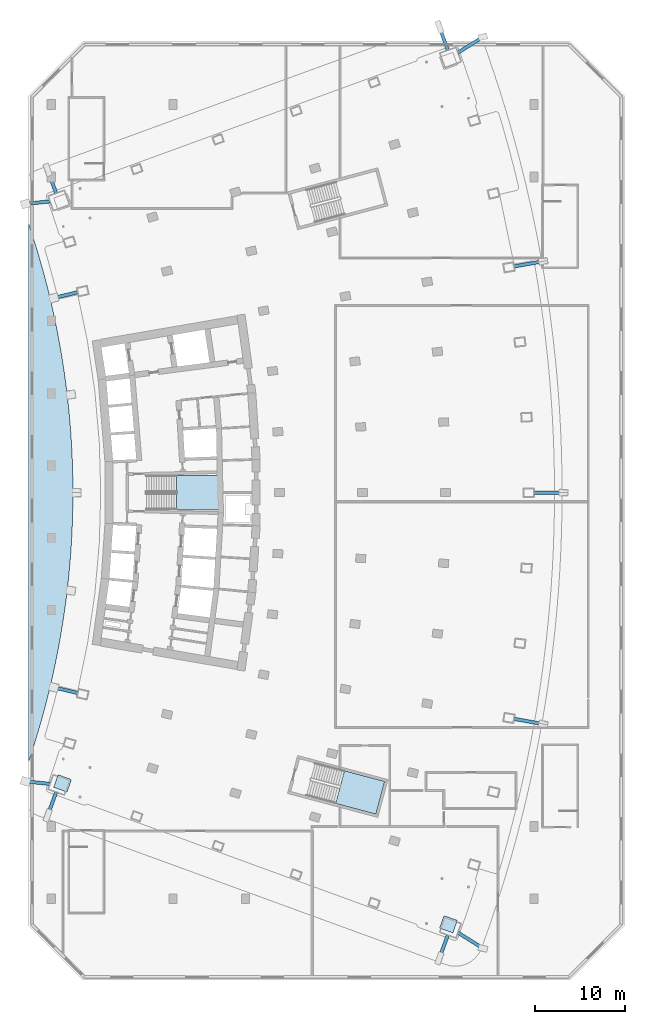
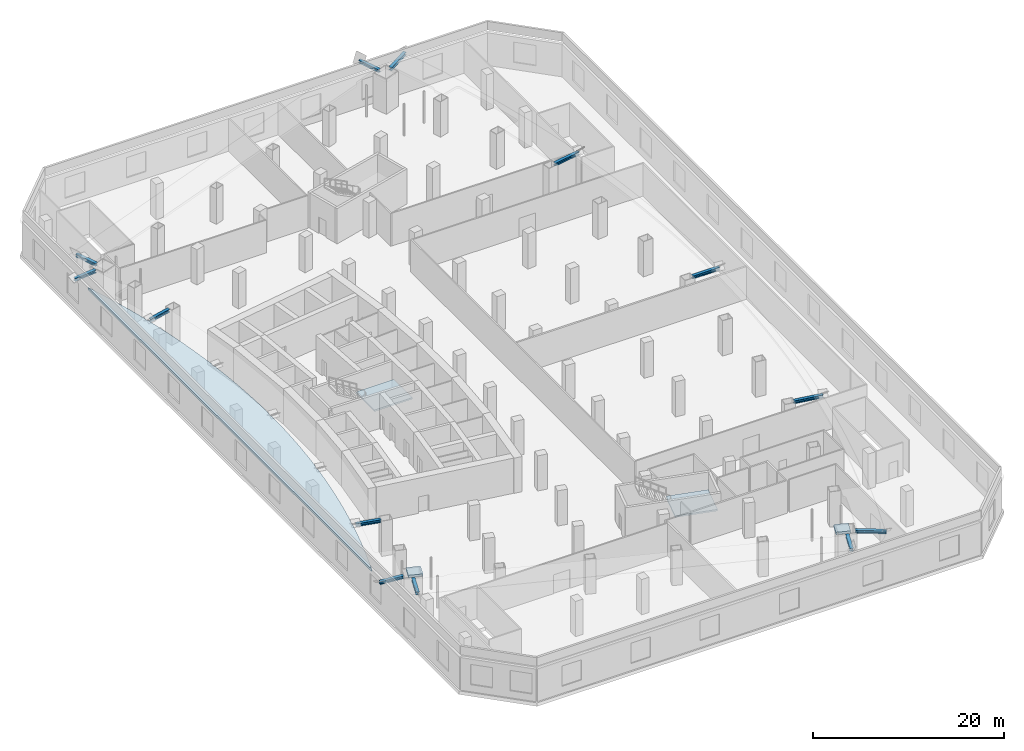
# One storey, part 9 of 19: 13 members, 5 slabs, 2 elements without a shape of their own.
"""IFC4 building model written with IfcOpenShell, lengths in metres."""

import ifcopenshell
import ifcopenshell.guid

model = None  # the IFC model being written
_history = None  # IfcOwnerHistory: only IFC2X3 demands one
_inside = {}  # id of a spatial element -> (the spatial element, [elements in it])
_under = {}  # id of a project, library or spatial element -> (it, [spatial elements below it])
_declared = {}  # id of a project -> (the project, [libraries it declares])
_typed = {}  # id of a type object -> (the type object, [elements of that type])
_made_of = {}  # id of a material, layer set ... -> (it, [elements and type objects made of it])


def new_model(schema):
    """Start an empty IFC model of exactly this schema.

    Asked for "IFC4X3", IfcOpenShell would pick the latest addendum, in which some entities
    have other attributes; the version numbers below select the first issue.
    IFC2X3 requires an IfcOwnerHistory on every rooted entity: one is made here for all.
    """
    global model, _history
    if schema == "IFC4X3":
        model = ifcopenshell.file(schema_version=(4, 3, 0, 0))
    else:
        model = ifcopenshell.file(schema=schema)
    _inside.clear()
    _under.clear()
    _declared.clear()
    _typed.clear()
    _made_of.clear()
    _history = None
    if model.schema == "IFC2X3":
        org = make("IfcOrganization", Name="unknown")
        user = make(
            "IfcPersonAndOrganization",
            ThePerson=make("IfcPerson", FamilyName="unknown"),
            TheOrganization=org,
        )
        app = make(
            "IfcApplication",
            ApplicationDeveloper=org,
            Version="unknown",
            ApplicationFullName="unknown",
            ApplicationIdentifier="unknown",
        )
        _history = make(
            "IfcOwnerHistory",
            OwningUser=user,
            OwningApplication=app,
            ChangeAction="ADDED",
            CreationDate=0,
        )
    return model


def make(cls, **values):
    """One entity of the class cls with the attributes given. An attribute that is None is left unset."""
    return model.create_entity(
        cls, **{name: value for name, value in values.items() if value is not None}
    )


def rooted(cls, **values):
    """An entity with a GlobalId (a new one), such as an element, a storey or a relation."""
    return make(cls, GlobalId=ifcopenshell.guid.new(), OwnerHistory=_history, **values)


def si_unit(unit_type, name, prefix=None):
    """IfcSIUnit, for example si_unit("LENGTHUNIT", "METRE", prefix="MILLI")."""
    return make("IfcSIUnit", UnitType=unit_type, Prefix=prefix, Name=name)


def assignment(units):
    """IfcUnitAssignment: the units of a project."""
    return None if units is None else make("IfcUnitAssignment", Units=units)


def point(xyz):
    """IfcCartesianPoint."""
    return None if xyz is None else make("IfcCartesianPoint", Coordinates=xyz)


def direction(xyz):
    """IfcDirection."""
    return None if xyz is None else make("IfcDirection", DirectionRatios=xyz)


def frame(location, z_axis=None, x_axis=None):
    """IfcAxis2Placement3D, a coordinate frame: its origin and axes. An axis left out is left unset."""
    return make(
        "IfcAxis2Placement3D",
        Location=point(location),
        Axis=direction(z_axis),
        RefDirection=direction(x_axis),
    )


def frame_2d(location, x_axis=None):
    """IfcAxis2Placement2D, a coordinate frame in the plane: its origin and x axis."""
    return make(
        "IfcAxis2Placement2D", Location=point(location), RefDirection=direction(x_axis)
    )


def origin():
    """The frame at (0, 0, 0) with its axes left unset."""
    return frame((0.0, 0.0, 0.0))


def origin_2d():
    """The frame at (0, 0) in the plane with its x axis left unset."""
    return frame_2d((0.0, 0.0))


def place(relative_to, where):
    """IfcLocalPlacement: puts the frame where relative to a parent placement (None: the world)."""
    return make(
        "IfcLocalPlacement", PlacementRelTo=relative_to, RelativePlacement=where
    )


def context(
    kind, dimensions, precision=None, world=None, true_north=None, identifier=None
):
    """IfcGeometricRepresentationContext, for example the 3D "Model" context."""
    return make(
        "IfcGeometricRepresentationContext",
        ContextIdentifier=identifier,
        ContextType=kind,
        CoordinateSpaceDimension=dimensions,
        Precision=precision,
        WorldCoordinateSystem=world,
        TrueNorth=true_north,
    )


def subcontext(parent, identifier, kind, view, scale=None):
    """IfcGeometricRepresentationSubContext, for example "Body" below "Model"."""
    return make(
        "IfcGeometricRepresentationSubContext",
        ContextIdentifier=identifier,
        ContextType=kind,
        ParentContext=parent,
        TargetScale=scale,
        TargetView=view,
    )


def project(units=None, contexts=None):
    """IfcProject with its units and contexts."""
    return rooted(
        "IfcProject",
        Name="project",
        RepresentationContexts=contexts,
        UnitsInContext=assignment(units),
    )


def spatial(cls, under=None, at=None, **own):
    """A site, building, storey or space (cls), placed at a placement, below another one or the project."""
    s = rooted(cls, ObjectPlacement=at, **own)
    if under is not None:
        _under.setdefault(under.id(), (under, []))[1].append(s)
    return s


def polyline(points):
    """IfcPolyline through the points."""
    return make("IfcPolyline", Points=[point(p) for p in points])


def profile(cls, at=None, kind="AREA", **sizes):
    """A parametric profile (cls). Its sizes go by their IFC names, for example OverallWidth=200.0."""
    return make(cls, ProfileType=kind, Position=at, **sizes)


def i_section(**sizes):
    """IfcIShapeProfileDef."""
    return profile("IfcIShapeProfileDef", **sizes)


def outline(outer, holes=None, kind="AREA"):
    """IfcArbitraryClosedProfileDef: a profile drawn as a closed curve; with holes, ...WithVoids."""
    if holes is None:
        return make("IfcArbitraryClosedProfileDef", ProfileType=kind, OuterCurve=outer)
    return make(
        "IfcArbitraryProfileDefWithVoids",
        ProfileType=kind,
        OuterCurve=outer,
        InnerCurves=holes,
    )


def extrude(swept, where, along, depth):
    """IfcExtrudedAreaSolid: the profile swept, set in the frame where, extruded along a direction by depth."""
    return make(
        "IfcExtrudedAreaSolid",
        SweptArea=swept,
        Position=where,
        ExtrudedDirection=direction(along),
        Depth=depth,
    )


def shape(context_of_items, identifier, shape_type, items):
    """IfcShapeRepresentation: the items that make up one representation, for example the "Body"."""
    return make(
        "IfcShapeRepresentation",
        ContextOfItems=context_of_items,
        RepresentationIdentifier=identifier,
        RepresentationType=shape_type,
        Items=items,
    )


def material(Name=None, Category=None):
    """IfcMaterial."""
    return make("IfcMaterial", Name=Name, Category=Category)


def layer(
    of_material, thickness, ventilated=None, Name=None, Category=None, Priority=None
):
    """IfcMaterialLayer: one layer of a wall or slab, of a material (None: an air gap)."""
    return make(
        "IfcMaterialLayer",
        Material=of_material,
        LayerThickness=thickness,
        IsVentilated=ventilated,
        Name=Name,
        Category=Category,
        Priority=Priority,
    )


def layer_set(layers, Name=None):
    """IfcMaterialLayerSet."""
    return make("IfcMaterialLayerSet", MaterialLayers=layers, LayerSetName=Name)


def material_profile(
    of_material, cross_section, Name=None, Category=None, Priority=None
):
    """IfcMaterialProfile: a cross section and its material."""
    return make(
        "IfcMaterialProfile",
        Name=Name,
        Material=of_material,
        Profile=cross_section,
        Priority=Priority,
        Category=Category,
    )


def profile_set(profiles, Name=None, composite=None):
    """IfcMaterialProfileSet."""
    return make(
        "IfcMaterialProfileSet",
        Name=Name,
        MaterialProfiles=profiles,
        CompositeProfile=composite,
    )


def made_of(thing, what):
    """Note that an element or type object is made of a material, layer set ...; save() writes the relation."""
    if what is not None:
        _made_of.setdefault(what.id(), (what, []))[1].append(thing)
    return thing


def type_object(cls, material=None, **own):
    """A type object (cls), such as IfcWallType, which elements share."""
    return made_of(rooted(cls, **own), material)


def element(
    cls,
    number,
    at=None,
    inside=None,
    cuts=None,
    type_object=None,
    material=None,
    context=None,
    identifier="Body",
    shape_type=None,
    held_by="IfcProductDefinitionShape",
    body=None,
    shapes=None,
    **own,
):
    """One element of the class cls, such as IfcWall. Its Tag is "e" and its number.

    at: its placement. inside: the storey or other place that contains it. cuts: it is an
    opening in that element (IfcRelVoidsElement). A single representation is given by context,
    identifier, shape_type and body (its items); several are given by shapes. held_by: the class
    of the entity that holds the representations. save() writes the other relations.
    """
    e = rooted(cls, Tag="e%d" % number, ObjectPlacement=at, **own)
    if body is not None:
        shapes = [shape(context, identifier, shape_type, body)]
    if shapes is not None:
        e.Representation = make(held_by, Representations=shapes)
    if inside is not None:
        _inside.setdefault(inside.id(), (inside, []))[1].append(e)
    if cuts is not None:
        rooted(
            "IfcRelVoidsElement", RelatingBuildingElement=cuts, RelatedOpeningElement=e
        )
    if type_object is not None:
        _typed.setdefault(type_object.id(), (type_object, []))[1].append(e)
    return made_of(e, material)


def aggregate(whole, parts):
    """IfcRelAggregates: a whole, such as a stair, and the parts it consists of."""
    return rooted("IfcRelAggregates", RelatingObject=whole, RelatedObjects=parts)


def save(model, path):
    """Write the relations noted so far, then the file.

    IfcRelAggregates (storeys below a building ...), IfcRelContainedInSpatialStructure (elements
    in a storey), IfcRelDefinesByType, IfcRelAssociatesMaterial and IfcRelDeclares: one each for
    every whole, place, type object, material and project.
    """
    for whole, parts in _under.values():
        aggregate(whole, parts)
    for where, things in _inside.values():
        rooted(
            "IfcRelContainedInSpatialStructure",
            RelatedElements=things,
            RelatingStructure=where,
        )
    for kind, things in _typed.values():
        rooted("IfcRelDefinesByType", RelatedObjects=things, RelatingType=kind)
    for what, things in _made_of.values():
        rooted("IfcRelAssociatesMaterial", RelatedObjects=things, RelatingMaterial=what)
    for by, libraries in _declared.values():
        rooted("IfcRelDeclares", RelatingContext=by, RelatedDefinitions=libraries)
    model.write(path)


model = new_model("IFC4")

# Units and contexts
model_context = context("Model", 3, precision=1e-05, world=origin(), true_north=direction((0.0, 1.0)))
body_context = subcontext(model_context, "Body", "Model", "MODEL_VIEW")
ifc_project = project(units=[si_unit("LENGTHUNIT", "METRE"), si_unit("AREAUNIT", "SQUARE_METRE"), si_unit("VOLUMEUNIT", "CUBIC_METRE"), si_unit("PLANEANGLEUNIT", "RADIAN"), si_unit("MASSUNIT", "GRAM", prefix="KILO")], contexts=[model_context])

# Site, building, storey
site_placement = place(None, origin())
site = spatial("IfcSite", under=ifc_project, at=site_placement, CompositionType="ELEMENT")
building_placement = place(site_placement, origin())
building = spatial("IfcBuilding", under=site, at=building_placement, Name="Alderwake Tower", CompositionType="ELEMENT")
storey_placement = place(building_placement, frame((0.0, 0.0, 27.5)))
storey = spatial("IfcBuildingStorey", under=building, at=storey_placement, Name="L05", CompositionType="ELEMENT", Elevation=27.5)

# Members
ifc_material_1 = material(Name="Steel ASTM A992 Grade 50", Category="steel")
ifc_material_profile = material_profile(ifc_material_1, i_section(OverallWidth=0.3740234375, OverallDepth=0.372314453125, WebThickness=0.016357421875, FlangeThickness=0.026123046875, at=origin_2d()), Name="W14X132")
ifc_profile_set = profile_set([ifc_material_profile], Name="Steel ASTM A992 Grade 50")
member_type = type_object("IfcMemberType", Name="Brace node stub W14X132", PredefinedType="MEMBER", material=ifc_profile_set)
member_1_placement = place(storey_placement, frame((55.5537109375, 12.255859375, 4.293701171875), z_axis=(0.845687214182, -0.533678869517, 0.0), x_axis=(0.533678869517, 0.845687214182, 0.0)))
element("IfcMember", 1, at=member_1_placement, inside=storey, type_object=member_type, Name="Brace node stub BS.FR01-C5.320", PredefinedType="MEMBER", context=body_context, shape_type="SweptSolid", body=[
    extrude(i_section(OverallWidth=0.3740234375, OverallDepth=0.372314453125, WebThickness=0.016357421875, FlangeThickness=0.026123046875, at=origin_2d()), origin(), (0.0, 0.0, 1.0), 3.275390625),
])
member_2_placement = place(storey_placement, frame((61.75146484375, 35.93701171875, 4.293701171875), z_axis=(0.984729160166, -0.174093311531, 0.0), x_axis=(0.174093311531, 0.984729160166, 0.0)))
element("IfcMember", 2, at=member_2_placement, inside=storey, type_object=member_type, Name="Brace node stub BS.FR04-C5.320", PredefinedType="MEMBER", context=body_context, shape_type="SweptSolid", body=[
    extrude(i_section(OverallWidth=0.3740234375, OverallDepth=0.372314453125, WebThickness=0.016357421875, FlangeThickness=0.026123046875, at=origin_2d()), origin(), (0.0, 0.0, 1.0), 3.301025390625),
])
member_3_placement = place(storey_placement, frame((63.949951171875, 61.0, 4.293701171875), z_axis=(1.0, 0.0, 0.0), x_axis=(0.0, 1.0, 0.0)))
element("IfcMember", 3, at=member_3_placement, inside=storey, type_object=member_type, Name="Brace node stub BS.FR07-C5.320", PredefinedType="MEMBER", context=body_context, shape_type="SweptSolid", body=[
    extrude(i_section(OverallWidth=0.3740234375, OverallDepth=0.372314453125, WebThickness=0.016357421875, FlangeThickness=0.026123046875, at=origin_2d()), origin(), (0.0, 0.0, 1.0), 3.30126953125),
])
member_4_placement = place(storey_placement, frame((61.75146484375, 86.06298828125, 4.293701171875), z_axis=(0.984729160166, 0.174093311531, 0.0), x_axis=(-0.174093311531, 0.984729160166, 0.0)))
element("IfcMember", 4, at=member_4_placement, inside=storey, type_object=member_type, Name="Brace node stub BS.FR10-C5.320", PredefinedType="MEMBER", context=body_context, shape_type="SweptSolid", body=[
    extrude(i_section(OverallWidth=0.3740234375, OverallDepth=0.372314453125, WebThickness=0.016357421875, FlangeThickness=0.026123046875, at=origin_2d()), origin(), (0.0, 0.0, 1.0), 3.301025390625),
])
member_5_placement = place(storey_placement, frame((55.5537109375, 109.744140625, 4.293701171875), z_axis=(0.845687214182, 0.533678869517, 0.0), x_axis=(-0.533678869517, 0.845687214182, 0.0)))
element("IfcMember", 5, at=member_5_placement, inside=storey, type_object=member_type, Name="Brace node stub BS.FR13-C5.320", PredefinedType="MEMBER", context=body_context, shape_type="SweptSolid", body=[
    extrude(i_section(OverallWidth=0.3740234375, OverallDepth=0.372314453125, WebThickness=0.016357421875, FlangeThickness=0.026123046875, at=origin_2d()), origin(), (0.0, 0.0, 1.0), 3.275390625),
])
member_6_placement = place(storey_placement, frame((10.357421875, 28.724365234375, 4.293701171875), z_axis=(-0.994599183003, 0.103790486891, 0.0), x_axis=(-0.103790486891, -0.994599183003, 0.0)))
element("IfcMember", 6, at=member_6_placement, inside=storey, type_object=member_type, Name="Brace node stub BS.RR01-C0.320", PredefinedType="MEMBER", context=body_context, shape_type="SweptSolid", body=[
    extrude(i_section(OverallWidth=0.3740234375, OverallDepth=0.372314453125, WebThickness=0.016357421875, FlangeThickness=0.026123046875, at=origin_2d()), origin(), (0.0, 0.0, 1.0), 2.728515625),
])
for number, where, z_axis, x_axis, name in (
    (7, (13.447021484375, 38.791259765625, 4.293701171875), (-0.972907100996, 0.231196394506, 0.0), (-0.231196394506, -0.972907100996, 0.0), "Brace node stub BS.RR03-C0.320"),
    (8, (13.447021484375, 83.208740234375, 4.293701171875), (-0.972907100996, -0.231196394506, 0.0), (0.231196394506, -0.972907100996, 0.0), "Brace node stub BS.RR11-C0.320"),
):
    element("IfcMember", number, at=place(storey_placement, frame(where, z_axis=z_axis, x_axis=x_axis)), inside=storey, type_object=member_type, Name=name, PredefinedType="MEMBER", context=body_context, shape_type="SweptSolid", body=[
        extrude(i_section(OverallWidth=0.3740234375, OverallDepth=0.372314453125, WebThickness=0.016357421875, FlangeThickness=0.026123046875, at=origin_2d()), origin(), (0.0, 0.0, 1.0), 2.749755859375),
    ])
member_7_placement = place(storey_placement, frame((10.357421875, 93.275634765625, 4.293701171875), z_axis=(-0.994599183003, -0.103790486891, 0.0), x_axis=(0.103790486891, -0.994599183003, 0.0)))
element("IfcMember", 9, at=member_7_placement, inside=storey, type_object=member_type, Name="Brace node stub BS.RR13-C0.320", PredefinedType="MEMBER", context=body_context, shape_type="SweptSolid", body=[
    extrude(i_section(OverallWidth=0.3740234375, OverallDepth=0.372314453125, WebThickness=0.016357421875, FlangeThickness=0.026123046875, at=origin_2d()), origin(), (0.0, 0.0, 1.0), 2.728515625),
])
member_8_placement = place(storey_placement, frame((11.040283203125, 27.823974609375, 4.293701171875), z_axis=(-0.341785786119, -0.939777886741, 0.0), x_axis=(0.939777886741, -0.341785786119, 0.0)))
element("IfcMember", 10, at=member_8_placement, inside=storey, type_object=member_type, Name="Brace node stub BS.SR01-C0.320", PredefinedType="MEMBER", context=body_context, shape_type="SweptSolid", body=[
    extrude(i_section(OverallWidth=0.3740234375, OverallDepth=0.372314453125, WebThickness=0.016357421875, FlangeThickness=0.026123046875, at=origin_2d()), origin(), (0.0, 0.0, 1.0), 2.7529296875),
])
member_9_placement = place(storey_placement, frame((54.438720703125, 11.977294921875, 4.293701171875), z_axis=(-0.342199527433, -0.939627310919, 0.0), x_axis=(0.939627310919, -0.342199527433, 0.0)))
element("IfcMember", 11, at=member_9_placement, inside=storey, type_object=member_type, Name="Brace node stub BS.SR01-C5.320", PredefinedType="MEMBER", context=body_context, shape_type="SweptSolid", body=[
    extrude(i_section(OverallWidth=0.3740234375, OverallDepth=0.372314453125, WebThickness=0.016357421875, FlangeThickness=0.026123046875, at=origin_2d()), origin(), (0.0, 0.0, 1.0), 2.748291015625),
])
member_10_placement = place(storey_placement, frame((11.040283203125, 94.176025390625, 4.293701171875), z_axis=(-0.341785786119, 0.939777886741, 0.0), x_axis=(-0.939777886741, -0.341785786119, 0.0)))
element("IfcMember", 12, at=member_10_placement, inside=storey, type_object=member_type, Name="Brace node stub BS.NR13-C0.320", PredefinedType="MEMBER", context=body_context, shape_type="SweptSolid", body=[
    extrude(i_section(OverallWidth=0.3740234375, OverallDepth=0.372314453125, WebThickness=0.016357421875, FlangeThickness=0.026123046875, at=origin_2d()), origin(), (0.0, 0.0, 1.0), 2.7529296875),
])
member_11_placement = place(storey_placement, frame((54.438720703125, 110.022705078125, 4.293701171875), z_axis=(-0.342199527433, 0.939627310919, 0.0), x_axis=(-0.939627310919, -0.342199527433, 0.0)))
element("IfcMember", 13, at=member_11_placement, inside=storey, type_object=member_type, Name="Brace node stub BS.NR13-C5.320", PredefinedType="MEMBER", context=body_context, shape_type="SweptSolid", body=[
    extrude(i_section(OverallWidth=0.3740234375, OverallDepth=0.372314453125, WebThickness=0.016357421875, FlangeThickness=0.026123046875, at=origin_2d()), origin(), (0.0, 0.0, 1.0), 2.748291015625),
])

# Slabs
ifc_material_2 = material(Name="Concrete C50/60", Category="concrete")
ifc_layer_1 = layer(ifc_material_2, 0.320068359375)
ifc_layer_set_1 = layer_set([ifc_layer_1], Name="Concrete C50/60 roof slab 320")
slab_type_1 = type_object("IfcSlabType", Name="Concrete C50/60 roof slab 320", PredefinedType="ROOF", material=ifc_layer_set_1)
slab_1_placement = place(storey_placement, frame((0.0, 0.0, 4.179931640625)))
element("IfcSlab", 14, at=slab_1_placement, inside=storey, type_object=slab_type_1, Name="Roof slab L05 3", PredefinedType="ROOF", context=body_context, shape_type="SweptSolid", body=[
    extrude(outline(polyline([(8.159423828125, 90.296630859375), (8.577392578125, 89.008056640625), (8.976318359375, 87.71337890625), (9.3564453125, 86.412841796875), (9.717529296875, 85.107177734375), (10.0595703125, 83.796142578125), (10.38232421875, 82.48046875), (10.68603515625, 81.16015625), (10.970458984375, 79.835693359375), (11.2353515625, 78.507080078125), (11.48095703125, 77.174560546875), (11.707275390625, 75.8388671875), (11.913818359375, 74.5), (12.100830078125, 73.158203125), (12.268310546875, 71.813720703125), (12.416259765625, 70.467041015625), (12.54443359375, 69.118408203125), (12.653076171875, 67.76806640625), (12.741943359375, 66.416015625), (12.81103515625, 65.06298828125), (12.8603515625, 63.709228515625), (12.889892578125, 62.354736328125), (12.89990234375, 61.0), (12.889892578125, 59.645263671875), (12.8603515625, 58.290771484375), (12.81103515625, 56.93701171875), (12.741943359375, 55.583984375), (12.653076171875, 54.23193359375), (12.54443359375, 52.881591796875), (12.416259765625, 51.532958984375), (12.268310546875, 50.186279296875), (12.100830078125, 48.841796875), (11.913818359375, 47.5), (11.707275390625, 46.1611328125), (11.48095703125, 44.825439453125), (11.2353515625, 43.492919921875), (10.970458984375, 42.164306640625), (10.68603515625, 40.83984375), (10.38232421875, 39.51953125), (10.0595703125, 38.203857421875), (9.717529296875, 36.892822265625), (9.3564453125, 35.587158203125), (8.976318359375, 34.28662109375), (8.577392578125, 32.991943359375), (8.159423828125, 31.703369140625), (8.0, 31.23486328125), (8.0, 90.76513671875), (8.159423828125, 90.296630859375)])), origin(), (0.0, 0.0, 1.0), 0.320068359375),
])
slab_2_placement = place(storey_placement, frame((0.0, 0.0, 4.179931640625)))
element("IfcSlab", 15, at=slab_2_placement, inside=storey, type_object=slab_type_1, Name="Roof slab L05 5", PredefinedType="ROOF", context=body_context, shape_type="SweptSolid", body=[
    extrude(outline(polyline([(12.62939453125, 29.25439453125), (12.616943359375, 29.259521484375), (11.2529296875, 29.7431640625), (11.08544921875, 29.25146484375), (11.083740234375, 29.24658203125), (10.76708984375, 28.357421875), (12.2451171875, 27.81982421875), (12.6962890625, 29.093017578125), (12.7001953125, 29.105712890625), (12.70263671875, 29.1181640625), (12.703857421875, 29.130859375), (12.703857421875, 29.1435546875), (12.70263671875, 29.15625), (12.699951171875, 29.168701171875), (12.6962890625, 29.18115234375), (12.69140625, 29.19287109375), (12.685302734375, 29.2041015625), (12.67822265625, 29.214599609375), (12.670166015625, 29.224365234375), (12.6611328125, 29.2333984375), (12.651123046875, 29.241455078125), (12.640625, 29.24853515625), (12.62939453125, 29.25439453125)])), origin(), (0.0, 0.0, 1.0), 0.320068359375),
])
slab_3_placement = place(storey_placement, frame((0.0, 0.0, 4.179931640625)))
element("IfcSlab", 16, at=slab_3_placement, inside=storey, type_object=slab_type_1, Name="Roof slab L05 7", PredefinedType="ROOF", context=body_context, shape_type="SweptSolid", body=[
    extrude(outline(polyline([(53.973876953125, 14.01611328125), (53.96875, 14.003662109375), (53.52001953125, 12.749755859375), (54.99267578125, 12.21337890625), (55.486328125, 13.59912109375), (54.135498046875, 14.08251953125), (54.123046875, 14.08642578125), (54.1103515625, 14.0888671875), (54.09765625, 14.090087890625), (54.0849609375, 14.090087890625), (54.072265625, 14.0888671875), (54.059814453125, 14.08642578125), (54.047607421875, 14.082763671875), (54.035888671875, 14.077880859375), (54.0244140625, 14.07177734375), (54.013916015625, 14.064697265625), (54.004150390625, 14.056640625), (53.9951171875, 14.047607421875), (53.98681640625, 14.03759765625), (53.979736328125, 14.027099609375), (53.973876953125, 14.01611328125)])), origin(), (0.0, 0.0, 1.0), 0.320068359375),
])

# Stair, slab
ifc_material_3 = material(Name="Concrete C40/50", Category="concrete")
stair_type = type_object("IfcStairType", Name="Core exit stair", PredefinedType="HALF_TURN_STAIR", material=ifc_material_3)
stair_1_placement = place(storey_placement, origin())
stair_1 = element("IfcStair", 17, at=stair_1_placement, inside=storey, type_object=stair_type, Name="L05 Exit Stair B", PredefinedType="HALF_TURN_STAIR")
ifc_material_4 = material(Name="Concrete C40/50", Category="concrete")
ifc_layer_2 = layer(ifc_material_4, 0.199951171875)
ifc_layer_set_2 = layer_set([ifc_layer_2], Name="Core stair landing 200")
slab_type_2 = type_object("IfcSlabType", Name="Core stair landing 200", PredefinedType="LANDING", material=ifc_layer_set_2)
slab_4_placement = place(storey_placement, frame((0.0, 0.0, 2.050048828125)))
slab_4 = element("IfcSlab", 18, at=slab_4_placement, type_object=slab_type_2, Name="ST-B landing 1", PredefinedType="LANDING", context=body_context, shape_type="SweptSolid", body=[
    extrude(outline(polyline([(24.389892578125, 59.074951171875), (29.0, 59.074951171875), (29.0, 62.925048828125), (24.389892578125, 62.925048828125), (24.389892578125, 59.074951171875)])), origin(), (0.0, 0.0, 1.0), 0.199951171875),
])
aggregate(stair_1, [slab_4])

stair_2_placement = place(storey_placement, origin())
stair_2 = element("IfcStair", 19, at=stair_2_placement, inside=storey, type_object=stair_type, Name="L05 Exit Stair C", PredefinedType="HALF_TURN_STAIR")
slab_5_placement = place(storey_placement, frame((0.0, 0.0, 2.050048828125)))
slab_5 = element("IfcSlab", 20, at=slab_5_placement, type_object=slab_type_2, Name="ST-C landing 1", PredefinedType="LANDING", context=body_context, shape_type="SweptSolid", body=[
    extrude(outline(polyline([(42.0166015625, 26.559814453125), (46.47119140625, 25.373291015625), (47.436279296875, 28.996826171875), (42.981689453125, 30.183349609375), (42.0166015625, 26.559814453125)])), origin(), (0.0, 0.0, 1.0), 0.199951171875),
])
aggregate(stair_2, [slab_5])

save(model, "model.ifc")
